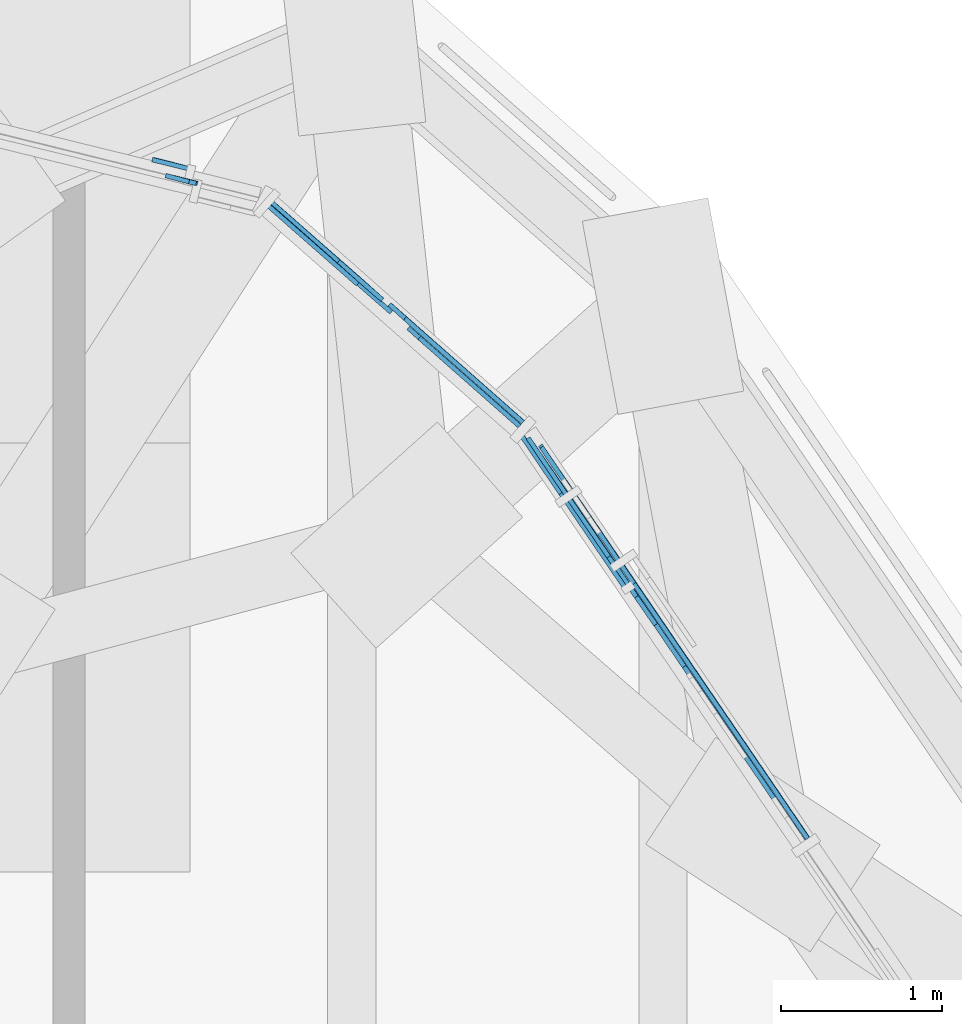
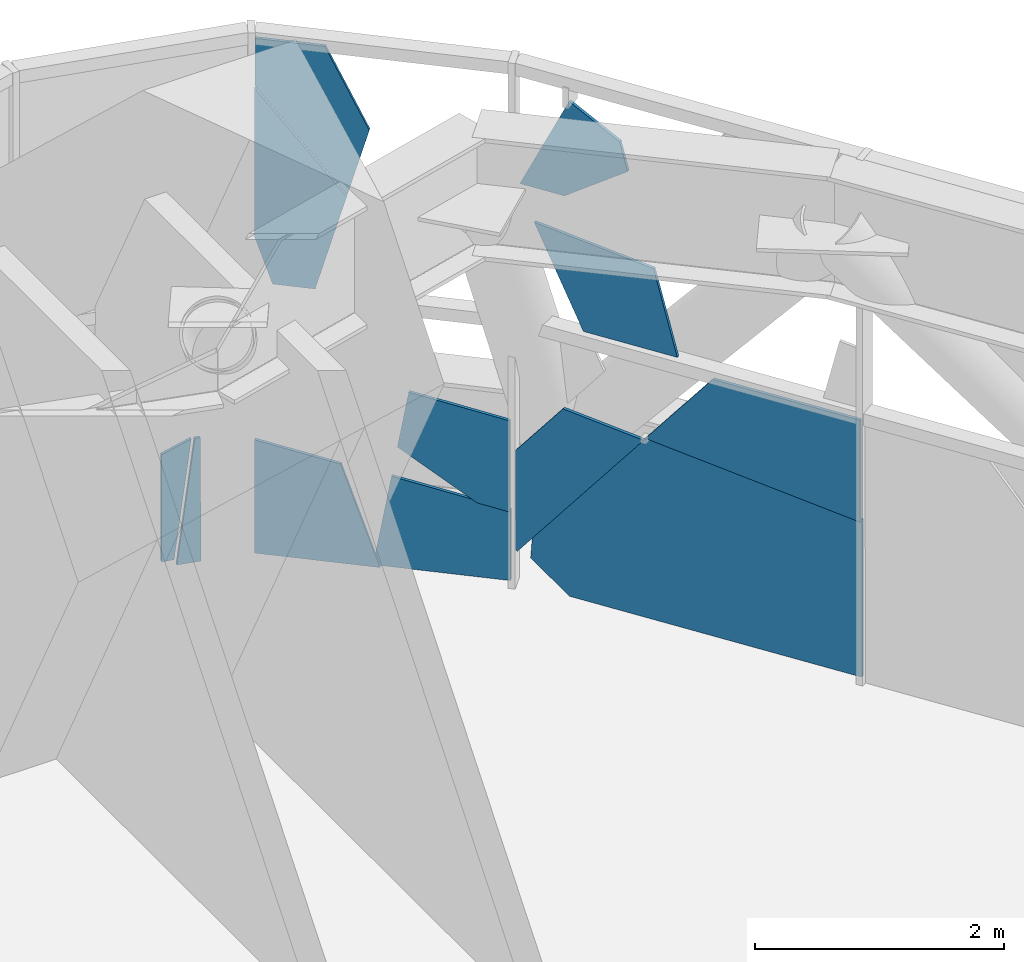
# One storey, part 20 of 43: 12 plates, 2 elements without a shape of their own.
"""IFC4 building model written with IfcOpenShell, lengths in metres."""

import ifcopenshell
import ifcopenshell.guid

model = None  # the IFC model being written
_history = None  # IfcOwnerHistory: only IFC2X3 demands one
_inside = {}  # id of a spatial element -> (the spatial element, [elements in it])
_under = {}  # id of a project, library or spatial element -> (it, [spatial elements below it])
_declared = {}  # id of a project -> (the project, [libraries it declares])
_typed = {}  # id of a type object -> (the type object, [elements of that type])
_made_of = {}  # id of a material, layer set ... -> (it, [elements and type objects made of it])


def new_model(schema):
    """Start an empty IFC model of exactly this schema.

    Asked for "IFC4X3", IfcOpenShell would pick the latest addendum, in which some entities
    have other attributes; the version numbers below select the first issue.
    IFC2X3 requires an IfcOwnerHistory on every rooted entity: one is made here for all.
    """
    global model, _history
    if schema == "IFC4X3":
        model = ifcopenshell.file(schema_version=(4, 3, 0, 0))
    else:
        model = ifcopenshell.file(schema=schema)
    _inside.clear()
    _under.clear()
    _declared.clear()
    _typed.clear()
    _made_of.clear()
    _history = None
    if model.schema == "IFC2X3":
        org = make("IfcOrganization", Name="unknown")
        user = make(
            "IfcPersonAndOrganization",
            ThePerson=make("IfcPerson", FamilyName="unknown"),
            TheOrganization=org,
        )
        app = make(
            "IfcApplication",
            ApplicationDeveloper=org,
            Version="unknown",
            ApplicationFullName="unknown",
            ApplicationIdentifier="unknown",
        )
        _history = make(
            "IfcOwnerHistory",
            OwningUser=user,
            OwningApplication=app,
            ChangeAction="ADDED",
            CreationDate=0,
        )
    return model


def make(cls, **values):
    """One entity of the class cls with the attributes given. An attribute that is None is left unset."""
    return model.create_entity(
        cls, **{name: value for name, value in values.items() if value is not None}
    )


def rooted(cls, **values):
    """An entity with a GlobalId (a new one), such as an element, a storey or a relation."""
    return make(cls, GlobalId=ifcopenshell.guid.new(), OwnerHistory=_history, **values)


def si_unit(unit_type, name, prefix=None):
    """IfcSIUnit, for example si_unit("LENGTHUNIT", "METRE", prefix="MILLI")."""
    return make("IfcSIUnit", UnitType=unit_type, Prefix=prefix, Name=name)


def assignment(units):
    """IfcUnitAssignment: the units of a project."""
    return None if units is None else make("IfcUnitAssignment", Units=units)


def point(xyz):
    """IfcCartesianPoint."""
    return None if xyz is None else make("IfcCartesianPoint", Coordinates=xyz)


def direction(xyz):
    """IfcDirection."""
    return None if xyz is None else make("IfcDirection", DirectionRatios=xyz)


def frame(location, z_axis=None, x_axis=None):
    """IfcAxis2Placement3D, a coordinate frame: its origin and axes. An axis left out is left unset."""
    return make(
        "IfcAxis2Placement3D",
        Location=point(location),
        Axis=direction(z_axis),
        RefDirection=direction(x_axis),
    )


def origin():
    """The frame at (0, 0, 0) with its axes left unset."""
    return frame((0.0, 0.0, 0.0))


def place(relative_to, where):
    """IfcLocalPlacement: puts the frame where relative to a parent placement (None: the world)."""
    return make(
        "IfcLocalPlacement", PlacementRelTo=relative_to, RelativePlacement=where
    )


def context(
    kind, dimensions, precision=None, world=None, true_north=None, identifier=None
):
    """IfcGeometricRepresentationContext, for example the 3D "Model" context."""
    return make(
        "IfcGeometricRepresentationContext",
        ContextIdentifier=identifier,
        ContextType=kind,
        CoordinateSpaceDimension=dimensions,
        Precision=precision,
        WorldCoordinateSystem=world,
        TrueNorth=true_north,
    )


def subcontext(parent, identifier, kind, view, scale=None):
    """IfcGeometricRepresentationSubContext, for example "Body" below "Model"."""
    return make(
        "IfcGeometricRepresentationSubContext",
        ContextIdentifier=identifier,
        ContextType=kind,
        ParentContext=parent,
        TargetScale=scale,
        TargetView=view,
    )


def project(units=None, contexts=None):
    """IfcProject with its units and contexts."""
    return rooted(
        "IfcProject",
        Name="project",
        RepresentationContexts=contexts,
        UnitsInContext=assignment(units),
    )


def spatial(cls, under=None, at=None, **own):
    """A site, building, storey or space (cls), placed at a placement, below another one or the project."""
    s = rooted(cls, ObjectPlacement=at, **own)
    if under is not None:
        _under.setdefault(under.id(), (under, []))[1].append(s)
    return s


def polyline(points):
    """IfcPolyline through the points."""
    return make("IfcPolyline", Points=[point(p) for p in points])


def outline(outer, holes=None, kind="AREA"):
    """IfcArbitraryClosedProfileDef: a profile drawn as a closed curve; with holes, ...WithVoids."""
    if holes is None:
        return make("IfcArbitraryClosedProfileDef", ProfileType=kind, OuterCurve=outer)
    return make(
        "IfcArbitraryProfileDefWithVoids",
        ProfileType=kind,
        OuterCurve=outer,
        InnerCurves=holes,
    )


def extrude(swept, where, along, depth):
    """IfcExtrudedAreaSolid: the profile swept, set in the frame where, extruded along a direction by depth."""
    return make(
        "IfcExtrudedAreaSolid",
        SweptArea=swept,
        Position=where,
        ExtrudedDirection=direction(along),
        Depth=depth,
    )


def shape(context_of_items, identifier, shape_type, items):
    """IfcShapeRepresentation: the items that make up one representation, for example the "Body"."""
    return make(
        "IfcShapeRepresentation",
        ContextOfItems=context_of_items,
        RepresentationIdentifier=identifier,
        RepresentationType=shape_type,
        Items=items,
    )


def material(Name=None, Category=None):
    """IfcMaterial."""
    return make("IfcMaterial", Name=Name, Category=Category)


def layer(
    of_material, thickness, ventilated=None, Name=None, Category=None, Priority=None
):
    """IfcMaterialLayer: one layer of a wall or slab, of a material (None: an air gap)."""
    return make(
        "IfcMaterialLayer",
        Material=of_material,
        LayerThickness=thickness,
        IsVentilated=ventilated,
        Name=Name,
        Category=Category,
        Priority=Priority,
    )


def layer_set(layers, Name=None):
    """IfcMaterialLayerSet."""
    return make("IfcMaterialLayerSet", MaterialLayers=layers, LayerSetName=Name)


def made_of(thing, what):
    """Note that an element or type object is made of a material, layer set ...; save() writes the relation."""
    if what is not None:
        _made_of.setdefault(what.id(), (what, []))[1].append(thing)
    return thing


def type_object(cls, material=None, **own):
    """A type object (cls), such as IfcWallType, which elements share."""
    return made_of(rooted(cls, **own), material)


def element(
    cls,
    number,
    at=None,
    inside=None,
    cuts=None,
    type_object=None,
    material=None,
    context=None,
    identifier="Body",
    shape_type=None,
    held_by="IfcProductDefinitionShape",
    body=None,
    shapes=None,
    **own,
):
    """One element of the class cls, such as IfcWall. Its Tag is "e" and its number.

    at: its placement. inside: the storey or other place that contains it. cuts: it is an
    opening in that element (IfcRelVoidsElement). A single representation is given by context,
    identifier, shape_type and body (its items); several are given by shapes. held_by: the class
    of the entity that holds the representations. save() writes the other relations.
    """
    e = rooted(cls, Tag="e%d" % number, ObjectPlacement=at, **own)
    if body is not None:
        shapes = [shape(context, identifier, shape_type, body)]
    if shapes is not None:
        e.Representation = make(held_by, Representations=shapes)
    if inside is not None:
        _inside.setdefault(inside.id(), (inside, []))[1].append(e)
    if cuts is not None:
        rooted(
            "IfcRelVoidsElement", RelatingBuildingElement=cuts, RelatedOpeningElement=e
        )
    if type_object is not None:
        _typed.setdefault(type_object.id(), (type_object, []))[1].append(e)
    return made_of(e, material)


def aggregate(whole, parts):
    """IfcRelAggregates: a whole, such as a stair, and the parts it consists of."""
    return rooted("IfcRelAggregates", RelatingObject=whole, RelatedObjects=parts)


def save(model, path):
    """Write the relations noted so far, then the file.

    IfcRelAggregates (storeys below a building ...), IfcRelContainedInSpatialStructure (elements
    in a storey), IfcRelDefinesByType, IfcRelAssociatesMaterial and IfcRelDeclares: one each for
    every whole, place, type object, material and project.
    """
    for whole, parts in _under.values():
        aggregate(whole, parts)
    for where, things in _inside.values():
        rooted(
            "IfcRelContainedInSpatialStructure",
            RelatedElements=things,
            RelatingStructure=where,
        )
    for kind, things in _typed.values():
        rooted("IfcRelDefinesByType", RelatedObjects=things, RelatingType=kind)
    for what, things in _made_of.values():
        rooted("IfcRelAssociatesMaterial", RelatedObjects=things, RelatingMaterial=what)
    for by, libraries in _declared.values():
        rooted("IfcRelDeclares", RelatingContext=by, RelatedDefinitions=libraries)
    model.write(path)


model = new_model("IFC4")

# Units and contexts
model_context = context("Model", 3, precision=1e-05, world=origin(), true_north=direction((0.0, 1.0)))
body_context = subcontext(model_context, "Body", "Model", "MODEL_VIEW")
ifc_project = project(units=[si_unit("LENGTHUNIT", "METRE"), si_unit("AREAUNIT", "SQUARE_METRE"), si_unit("VOLUMEUNIT", "CUBIC_METRE"), si_unit("PLANEANGLEUNIT", "RADIAN"), si_unit("MASSUNIT", "GRAM", prefix="KILO")], contexts=[model_context])

# Site, building, storey
site_placement = place(None, origin())
site = spatial("IfcSite", under=ifc_project, at=site_placement, CompositionType="ELEMENT")
building_placement = place(site_placement, origin())
building = spatial("IfcBuilding", under=site, at=building_placement, Name="Mestral Congress Tower", CompositionType="ELEMENT")
storey_placement = place(building_placement, frame((0.0, 0.0, 78.300048828125)))
storey = spatial("IfcBuildingStorey", under=building, at=storey_placement, Name="L18", CompositionType="ELEMENT", Elevation=78.300048828125)

# Curtain wall, plates
ifc_material_1 = material(Name="Clear low-emissivity double glazing", Category="glass")
curtain_wall_type = type_object("IfcCurtainWallType", Name="Facade refuge band screen", PredefinedType="USERDEFINED", material=ifc_material_1)
placement = place(storey_placement, origin())
curtain_wall_1 = element("IfcCurtainWall", 1, at=placement, inside=storey, type_object=curtain_wall_type, Name="Facade refuge band screen face 2", ObjectType="CURTAIN WALL", PredefinedType="USERDEFINED")
ifc_material_2 = material(Name="Anodised aluminium", Category="aluminium")
ifc_layer_1 = layer(ifc_material_2, 0.028076171875)
ifc_layer_set_1 = layer_set([ifc_layer_1], Name="Anodised aluminium")
plate_type_1 = type_object("IfcPlateType", Name="Facade refuge band screen brace cover panel", PredefinedType="CURTAIN_PANEL", material=ifc_layer_set_1)
plate_1_placement = place(storey_placement, frame((3.58447265625, 34.96484375, 0.343994140625), z_axis=(0.826781788667, 0.562519510633, 0.001916790461), x_axis=(0.346819145005, -0.512425862913, 0.785580177751)))
plate_1 = element("IfcPlate", 2, at=plate_1_placement, type_object=plate_type_1, Name="Facade refuge band screen brace cover panel", PredefinedType="CURTAIN_PANEL", context=body_context, shape_type="SweptSolid", body=[
    extrude(outline(polyline([(0.0, 0.0), (1.8258174592565581, 2.220446049250313e-16), (1.45118972649861, -0.620437359057824), (0.7575559689370129, -0.6204096945255777), (-1.4951643956722174e-05, -0.023692959305987173), (0.0, 0.0)])), origin(), (0.0, 0.0, -1.0), 0.028076171875),
])
plate_2_placement = place(storey_placement, frame((4.281982421875, 33.982177734375, 3.466064453125), z_axis=(0.82671813048, 0.562612635115, 0.002038515442), x_axis=(-0.558513481671, 0.820247172849, 0.123520306935)))
plate_2 = element("IfcPlate", 3, at=plate_2_placement, type_object=plate_type_1, Name="Facade refuge band screen brace cover panel", PredefinedType="CURTAIN_PANEL", context=body_context, shape_type="SweptSolid", body=[
    extrude(outline(polyline([(0.0, 0.0), (1.0732503489894338, 0.0), (0.5220467713493432, -0.8773563135876671), (-0.30850815882565097, -0.7739741480757942), (0.0, 0.0)])), origin(), (0.0, 0.0, -1.0), 0.028076171875),
])
plate_3_placement = place(storey_placement, frame((3.6103515625, 34.967529296875, 3.93798828125), z_axis=(0.826730947279, 0.562593972118, 0.001990815782), x_axis=(0.562595087068, -0.826732585548, -4.1649e-08)))
plate_3 = element("IfcPlate", 4, at=plate_3_placement, type_object=plate_type_1, Name="Facade refuge band screen brace cover panel", PredefinedType="CURTAIN_PANEL", context=body_context, shape_type="SweptSolid", body=[
    extrude(outline(polyline([(0.0, 0.0), (0.39749002927293703, 0.0), (0.9618913449949171, -0.41015698954845436), (0.891190517094022, -0.6818861852865837), (0.4405396070107351, -0.9409197527638328), (0.0, 0.0)])), origin(), (0.0, 0.0, -1.0), 0.028076171875),
])

curtain_wall_2 = element("IfcCurtainWall", 5, at=placement, inside=storey, type_object=curtain_wall_type, Name="Facade refuge band screen corner 2", ObjectType="CURTAIN WALL", PredefinedType="USERDEFINED")
plate_4_placement = place(storey_placement, frame((2.758544921875, 35.750244140625, 0.0), z_axis=(0.661641615329, 0.749817290171, 0.002098624358), x_axis=(-0.236319906145, 0.205871750494, 0.949615566589)))
plate_4 = element("IfcPlate", 6, at=plate_4_placement, type_object=plate_type_1, Name="Facade refuge band screen brace cover panel", PredefinedType="CURTAIN_PANEL", context=body_context, shape_type="SweptSolid", body=[
    extrude(outline(polyline([(0.0, 0.0), (1.0219491487535455, 0.0), (1.3775496127033775, -0.6256404256741769), (0.3214675709792093, -0.9740298861604679), (0.0, 0.0)])), origin(), (0.0, 0.0, -1.0), 0.028076171875),
])
plate_5_placement = place(storey_placement, frame((2.74755859375, 35.799560546875, 0.123779296875), z_axis=(0.661676779172, 0.749785955742, 0.002204648822), x_axis=(0.237233413159, -0.206564426363, -0.949237296698)))
plate_5 = element("IfcPlate", 7, at=plate_5_placement, type_object=plate_type_1, Name="Facade refuge band screen brace cover panel", PredefinedType="CURTAIN_PANEL", context=body_context, shape_type="SweptSolid", body=[
    extrude(outline(polyline([(0.0, 0.0), (0.13039893549729897, 6.938893903907228e-18), (0.4652266693049275, -1.0104207088113795), (-0.19198843932678844, -1.2282846631472872), (-0.6847195501833173, -0.36382607506468756), (0.0, 0.0)])), origin(), (0.0, 0.0, -1.0), 0.028076171875),
])
plate_6_placement = place(storey_placement, frame((3.555908203125, 35.044677734375, 0.6923828125), z_axis=(0.661647281539, 0.749813063801, 0.001801162029), x_axis=(-0.001281899479, -0.001270975174, 0.999998370677)))
plate_6 = element("IfcPlate", 8, at=plate_6_placement, type_object=plate_type_1, Name="Facade refuge band screen brace cover panel", PredefinedType="CURTAIN_PANEL", context=body_context, shape_type="SweptSolid", body=[
    extrude(outline(polyline([(0.0, 0.0), (0.8950211892757911, 8.131516293641283e-20), (1.0613805580295628, -0.8281700496346652), (0.5118306652839655, -0.9217612908943142), (0.053743138426591085, -0.2672374195127682), (0.0, 0.0)])), origin(), (0.0, 0.0, -1.0), 0.028076171875),
])
plate_7_placement = place(storey_placement, frame((1.9833984375, 36.422119140625, 4.563232421875), z_axis=(0.661765976247, 0.749707822358, 0.001993433429), x_axis=(0.001324435221, 0.001489864809, -0.999998013085)))
plate_7 = element("IfcPlate", 9, at=plate_7_placement, type_object=plate_type_1, Name="Facade refuge band screen brace cover panel", PredefinedType="CURTAIN_PANEL", context=body_context, shape_type="SweptSolid", body=[
    extrude(outline(polyline([(0.0, 0.0), (1.4572783555591202, -2.388632911257127e-19), (1.9033251113215457, -0.14741859541432306), (1.9033276057107034, -0.49681598710417146), (0.9633861484061201, -0.7544289346120793), (0.0, 0.0)])), origin(), (0.0, 0.0, -1.0), 0.028076171875),
])
plate_8_placement = place(storey_placement, frame((2.570068359375, 35.947021484375, 3.599853515625), z_axis=(0.661665796948, 0.749796146556, 0.002027747268), x_axis=(0.196808206616, -0.176283845201, 0.964463859214)))
plate_8 = element("IfcPlate", 10, at=plate_8_placement, type_object=plate_type_1, Name="Facade refuge band screen brace cover panel", PredefinedType="CURTAIN_PANEL", context=body_context, shape_type="SweptSolid", body=[
    extrude(outline(polyline([(0.0, 0.0), (0.6811893560585071, 2.7755575615628914e-17), (1.331096550035232, -0.5540404093971687), (1.1801048315718814, -1.105221630603919), (0.7298630996530173, -0.9820044455672471), (0.0, 0.0)])), origin(), (0.0, 0.0, -1.0), 0.028076171875),
])
plate_9_placement = place(storey_placement, frame((1.550048828125, 36.553466796875, 0.0), z_axis=(0.238378147523, 0.971170230649, 0.00205958378), x_axis=(-0.006667643466, -0.00048407297, 0.999977653852)))
plate_9 = element("IfcPlate", 11, at=plate_9_placement, type_object=plate_type_1, Name="Facade refuge band screen brace cover panel", PredefinedType="CURTAIN_PANEL", context=body_context, shape_type="SweptSolid", body=[
    extrude(outline(polyline([(0.0, 0.0), (1.2119409360603477, -8.673617379884035e-19), (1.2122303755761092, -0.04547535949694865), (0.001293406504513201, -0.2033932837913903), (0.0, 0.0)])), origin(), (0.0, 0.0, -1.0), 0.028076171875),
])
plate_10_placement = place(storey_placement, frame((1.509765625, 36.641357421875, 1.157958984375), z_axis=(0.238677409329, 0.971096792911, 0.002028071605), x_axis=(-0.890354968556, 0.219665379335, -0.398767038618)))
plate_10 = element("IfcPlate", 12, at=plate_10_placement, type_object=plate_type_1, Name="Facade refuge band screen brace cover panel", PredefinedType="CURTAIN_PANEL", context=body_context, shape_type="SweptSolid", body=[
    extrude(outline(polyline([(0.0, 0.0), (0.2706089043488609, 1.3877787807814457e-17), (0.6893816854946353, -0.9629314363122523), (0.5932138251529351, -1.004748488031871), (0.0, 0.0)])), origin(), (0.0, 0.0, -1.0), 0.028076171875),
])
aggregate(curtain_wall_2, [plate_4, plate_5, plate_6, plate_7, plate_8, plate_9, plate_10])

# Plate
ifc_layer_2 = layer(ifc_material_1, 0.028076171875)
ifc_layer_set_2 = layer_set([ifc_layer_2], Name="Clear low-emissivity double glazing")
plate_type_2 = type_object("IfcPlateType", Name="Facade refuge band screen panel", PredefinedType="CURTAIN_PANEL", material=ifc_layer_set_2)
plate_11_placement = place(storey_placement, frame((3.693603515625, 34.910400390625, 0.479248046875), z_axis=(0.826689805091, 0.562654070145, 0.00208890106), x_axis=(-0.038051358538, 0.059610945305, -0.9974961801)))
plate_11 = element("IfcPlate", 13, at=plate_11_placement, type_object=plate_type_2, Name="Refuge screen glass unit", PredefinedType="CURTAIN_PANEL", context=body_context, shape_type="SweptSolid", body=[
    extrude(outline(polyline([(0.0, 0.0), (0.20779591274128809, 1.734723475976807e-18), (0.45469968195650473, -0.3633785506229263), (0.270422734617323, -2.9637028279154567), (-1.2657745863511285, -2.8549410629493983), (-1.368165883307379, -0.9289697285070895), (0.0, 0.0)])), origin(), (0.0, 0.0, -1.0), 0.028076171875),
])

plate_12_placement = place(storey_placement, frame((5.319580078125, 32.464111328125, 1.5400390625), z_axis=(0.826773648299, 0.562531367549, 0.001948076217), x_axis=(-0.001506426246, -0.001248995175, 0.999998085344)))
plate_12 = element("IfcPlate", 14, at=plate_12_placement, type_object=plate_type_2, Name="Refuge screen glass unit", PredefinedType="CURTAIN_PANEL", context=body_context, shape_type="SweptSolid", body=[
    extrude(outline(polyline([(0.0, 0.0), (1.0000018166750606, 2.168404344971009e-19), (0.999758513487, -1.3140863859657805), (0.2379271212717257, -1.9138219293182435), (0.0, 0.0)])), origin(), (0.0, 0.0, -1.0), 0.028076171875),
])

aggregate(curtain_wall_1, [plate_11, plate_12, plate_1, plate_2, plate_3])

save(model, "model.ifc")
